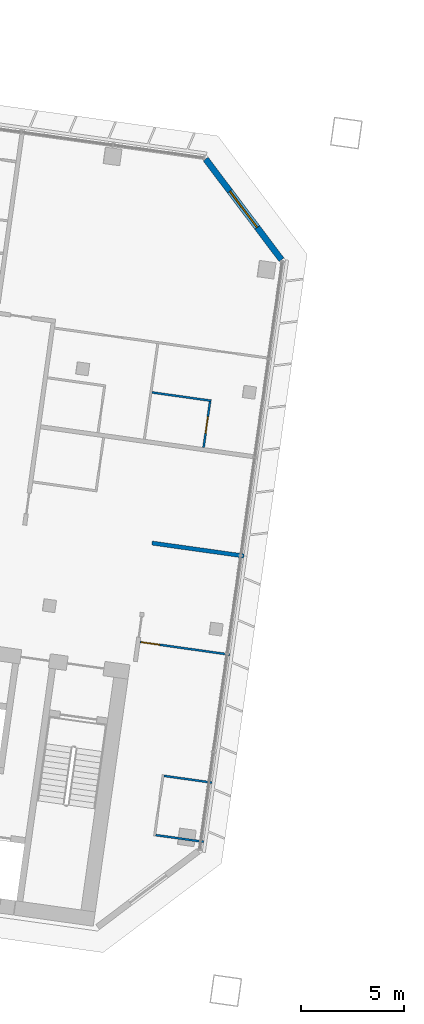
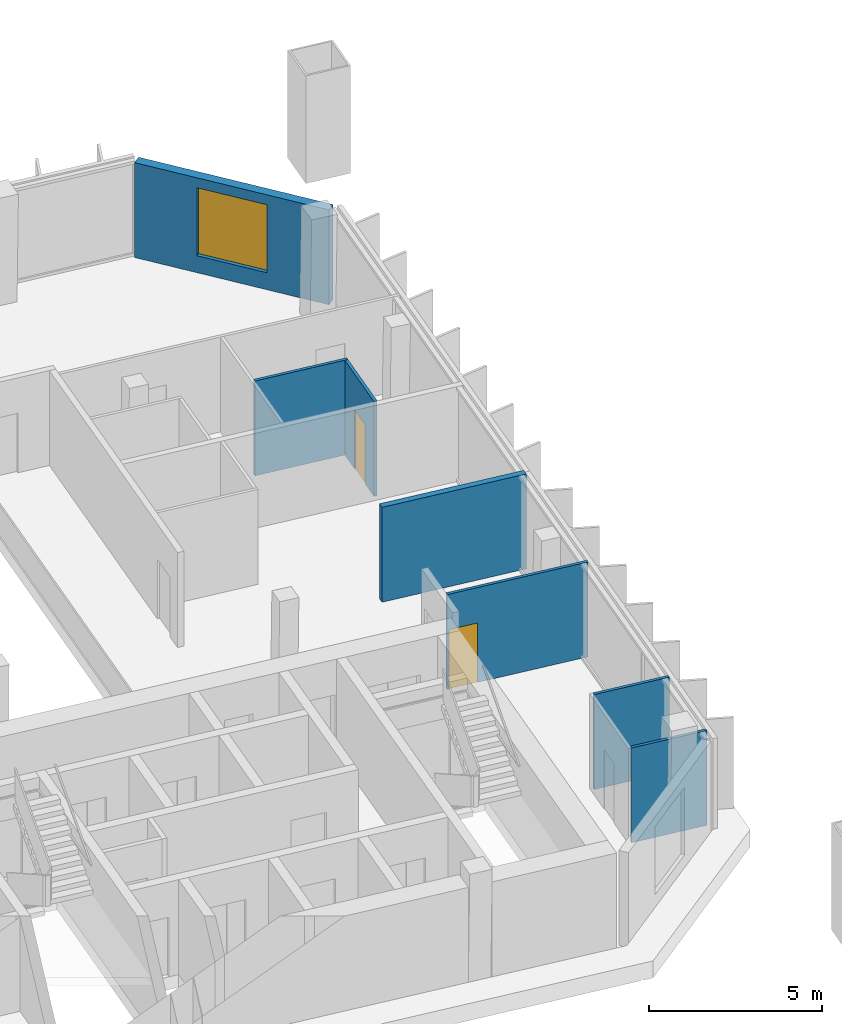
# One storey, part 20 of 31: 7 walls, 2 doors, 1 window, 3 openings.
"""IFC4 building model written with IfcOpenShell, lengths in metres."""

from ifc_helpers import new_model, si_unit, direction, frame, frame_2d, origin, place, context, subcontext, project, spatial, rectangle, extrude, material, layer, layer_set, type_object, element, fill, save


model = new_model("IFC4")

# Units and contexts
model_context = context("Model", 3, precision=1e-05, world=origin(), true_north=direction((0.0, 1.0)))
body_context = subcontext(model_context, "Body", "Model", "MODEL_VIEW")
ifc_project = project(units=[si_unit("LENGTHUNIT", "METRE"), si_unit("AREAUNIT", "SQUARE_METRE"), si_unit("VOLUMEUNIT", "CUBIC_METRE"), si_unit("PLANEANGLEUNIT", "RADIAN"), si_unit("MASSUNIT", "GRAM", prefix="KILO")], contexts=[model_context])

# Site, building, storey
site_placement = place(None, origin())
site = spatial("IfcSite", under=ifc_project, at=site_placement, CompositionType="ELEMENT")
building_placement = place(site_placement, origin())
building = spatial("IfcBuilding", under=site, at=building_placement, Name="Mirante Cascada Hotel Towers", CompositionType="ELEMENT")
storey_placement = place(building_placement, frame((0.0, 0.0, 157.4)))
storey = spatial("IfcBuildingStorey", under=building, at=storey_placement, Name="L36", CompositionType="ELEMENT", Elevation=157.4)

# Walls
ifc_material_1 = material(Name="Fire-rated plasterboard on metal studs")
ifc_layer_1 = layer(ifc_material_1, 0.2)
ifc_layer_set_1 = layer_set([ifc_layer_1], Name="Compartment wall 200 EI 120")
wall_type_1 = type_object("IfcWallType", Name="Compartment wall 200 EI 120", PredefinedType="PARTITIONING", material=ifc_layer_set_1)
wall_1_placement = place(storey_placement, frame((-29.9646, -2.005, 0.0), z_axis=(0.0, 0.0, 1.0), x_axis=(-0.9902678, 0.1391748, 0.0)))
element("IfcWall", 1, at=wall_1_placement, inside=storey, type_object=wall_type_1, Name="Wall 1-L36-07", PredefinedType="PARTITIONING", context=body_context, shape_type="SweptSolid", body=[
    extrude(rectangle(XDim=4.5001, YDim=0.2, at=frame_2d((2.25, 0.0))), origin(), (0.0, 0.0, 1.0), 3.35),
])
ifc_material_2 = material(Name="Plasterboard on metal studs")
ifc_layer_2 = layer(ifc_material_2, 0.1)
ifc_layer_set_2 = layer_set([ifc_layer_2], Name="Partition 100")
wall_type_2 = type_object("IfcWallType", Name="Partition 100", PredefinedType="PARTITIONING", material=ifc_layer_set_2)
for number, where, z_axis, x_axis, name in (
    (2, (-31.9131, -15.8687, 0.0), (0.0, 0.0, 1.0), (-0.9902712, 0.1391512, 0.0), "Wall 1-L36-01"),
    (3, (-31.5095, -12.9969, 0.0), (0.0, 0.0, 1.0), (-0.9902712, 0.1391512, 0.0), "Wall 1-L36-03"),
):
    element("IfcWall", number, at=place(storey_placement, frame(where, z_axis=z_axis, x_axis=x_axis)), inside=storey, type_object=wall_type_2, Name=name, PredefinedType="PARTITIONING", context=body_context, shape_type="SweptSolid", body=[
        extrude(rectangle(XDim=2.35, YDim=0.1, at=frame_2d((1.175, 0.0))), origin(), (0.0, 0.0, 1.0), 3.35),
    ])

# Wall, opening, door
wall_2_placement = place(storey_placement, frame((-30.6373, -6.7912, 0.0), z_axis=(0.0, 0.0, 1.0), x_axis=(-0.9902701, 0.1391587, 0.0)))
wall_2 = element("IfcWall", 4, at=wall_2_placement, inside=storey, type_object=wall_type_2, Name="Wall 1-L36-05", PredefinedType="PARTITIONING", context=body_context, shape_type="SweptSolid", body=[
    extrude(rectangle(XDim=4.4, YDim=0.1, at=frame_2d((2.2, 0.0))), origin(), (0.0, 0.0, 1.0), 3.35),
])
opening_1_placement = place(wall_2_placement, frame((3.45, 0.0, 0.0)))
opening_1 = element("IfcOpeningElement", 5, at=opening_1_placement, cuts=wall_2, Name="Opening D1-L36-01", PredefinedType="OPENING", context=body_context, shape_type="SweptSolid", body=[
    extrude(rectangle(XDim=0.9, YDim=2.1, at=frame_2d((0.45, 1.05))), frame((0.0, 0.05, 0.0), z_axis=(0.0, -1.0, 0.0), x_axis=(1.0, 0.0, 0.0)), (0.0, 0.0, 1.0), 0.1),
])
ifc_material_3 = material(Name="Timber door leaf", Category="wood")
door_type_1 = type_object("IfcDoorType", Name="Room door DG3 900x2100", OperationType="SINGLE_SWING_LEFT", PredefinedType="DOOR", material=ifc_material_3)
door_1_placement = place(opening_1_placement, origin())
door_1 = element("IfcDoor", 6, at=door_1_placement, inside=storey, type_object=door_type_1, Name="Door D1-L36-01", OperationType="SINGLE_SWING_LEFT", OverallHeight=2.1, OverallWidth=0.9, PredefinedType="DOOR", context=body_context, shape_type="SweptSolid", body=[
    extrude(rectangle(XDim=0.9, YDim=2.1, at=frame_2d((0.45, 1.05))), frame((0.0, 0.025, 0.0), z_axis=(0.0, -1.0, 0.0), x_axis=(1.0, 0.0, 0.0)), (0.0, 0.0, 1.0), 0.05),
])
fill(opening_1, door_1)

# Wall
wall_3_placement = place(storey_placement, frame((-34.4221, 5.9259, 0.0), z_axis=(0.0, 0.0, 1.0), x_axis=(0.9902683, -0.1391714, 0.0)))
element("IfcWall", 7, at=wall_3_placement, inside=storey, type_object=wall_type_2, Name="Wall 1-L36-16", PredefinedType="PARTITIONING", context=body_context, shape_type="SweptSolid", body=[
    extrude(rectangle(XDim=2.9, YDim=0.1, at=frame_2d((1.45, 0.0))), origin(), (0.0, 0.0, 1.0), 3.35),
])

# Wall, opening, door
wall_4_placement = place(storey_placement, frame((-31.6068, 5.4797, 0.0), z_axis=(0.0, 0.0, 1.0), x_axis=(-0.1391561, -0.9902705, 0.0)))
wall_4 = element("IfcWall", 8, at=wall_4_placement, inside=storey, type_object=wall_type_2, Name="Wall 1-L36-28", PredefinedType="PARTITIONING", context=body_context, shape_type="SweptSolid", body=[
    extrude(rectangle(XDim=2.25, YDim=0.1, at=frame_2d((1.125, 0.0))), origin(), (0.0, 0.0, 1.0), 3.35),
])
opening_2_placement = place(wall_4_placement, frame((0.75, 0.0, 0.0)))
opening_2 = element("IfcOpeningElement", 9, at=opening_2_placement, cuts=wall_4, Name="Opening D1-L36-19", PredefinedType="OPENING", context=body_context, shape_type="SweptSolid", body=[
    extrude(rectangle(XDim=0.8, YDim=2.1, at=frame_2d((0.4, 1.05))), frame((0.0, 0.05, 0.0), z_axis=(0.0, -1.0, 0.0), x_axis=(1.0, 0.0, 0.0)), (0.0, 0.0, 1.0), 0.1),
])
ifc_material_4 = material(Name="Timber door leaf", Category="wood")
door_type_2 = type_object("IfcDoorType", Name="Bathroom door DG4 800x2100", OperationType="SINGLE_SWING_LEFT", PredefinedType="DOOR", material=ifc_material_4)
door_2_placement = place(opening_2_placement, frame((0.8, 0.0, 0.0), z_axis=(0.0, 0.0, 1.0), x_axis=(-1.0, 0.0, 0.0)))
door_2 = element("IfcDoor", 10, at=door_2_placement, inside=storey, type_object=door_type_2, Name="Door D1-L36-19", OperationType="SINGLE_SWING_RIGHT", OverallHeight=2.1, OverallWidth=0.8, PredefinedType="DOOR", context=body_context, shape_type="SweptSolid", body=[
    extrude(rectangle(XDim=0.8, YDim=2.1, at=frame_2d((0.4, 1.05))), frame((0.0, 0.025, 0.0), z_axis=(0.0, -1.0, 0.0), x_axis=(1.0, 0.0, 0.0)), (0.0, 0.0, 1.0), 0.05),
])
fill(opening_2, door_2)

# Wall, opening, window
ifc_material_5 = material(Name="Precast concrete C40/50", Category="concrete")
ifc_layer_3 = layer(ifc_material_5, 0.3)
ifc_layer_set_3 = layer_set([ifc_layer_3], Name="Precast concrete C40/50 cladding wall 300")
wall_type_3 = type_object("IfcWallType", Name="Precast concrete C40/50 cladding wall 300", PredefinedType="STANDARD", material=ifc_layer_set_3)
wall_5_placement = place(storey_placement, frame((-31.8216, 17.247, 0.0), z_axis=(0.0, 0.0, 1.0), x_axis=(0.6018141, -0.7986362, 0.0)))
wall_5 = element("IfcWall", 11, at=wall_5_placement, inside=storey, type_object=wall_type_3, Name="Corner cladding wall T1 L36 front inner", PredefinedType="STANDARD", context=body_context, shape_type="SweptSolid", body=[
    extrude(rectangle(XDim=6.1157, YDim=0.3, at=frame_2d((3.0578, 0.0))), origin(), (0.0, 0.0, 1.0), 3.35),
])
opening_3_placement = place(wall_5_placement, frame((1.9578, 0.0, 0.6)))
opening_3 = element("IfcOpeningElement", 12, at=opening_3_placement, cuts=wall_5, Name="Opening W1-36-03", PredefinedType="OPENING", context=body_context, shape_type="SweptSolid", body=[
    extrude(rectangle(XDim=2.2, YDim=2.4, at=frame_2d((1.1, 1.2))), frame((0.0, 0.15, 0.0), z_axis=(0.0, -1.0, 0.0), x_axis=(1.0, 0.0, 0.0)), (0.0, 0.0, 1.0), 0.3),
])
ifc_material_6 = material(Name="Aluminium frame with clear double glazing", Category="aluminium")
window_type = type_object("IfcWindowType", Name="Corner suite window 2200x2400", PartitioningType="DOUBLE_PANEL_VERTICAL", PredefinedType="WINDOW", material=ifc_material_6)
window_placement = place(opening_3_placement, origin())
window = element("IfcWindow", 13, at=window_placement, inside=storey, type_object=window_type, Name="Window W1-36-03", OverallHeight=2.4, OverallWidth=2.2, PartitioningType="SINGLE_PANEL", PredefinedType="WINDOW", context=body_context, shape_type="SweptSolid", body=[
    extrude(rectangle(XDim=2.2, YDim=2.4, at=frame_2d((1.1, 1.2))), frame((0.0, 0.03, 0.0), z_axis=(0.0, -1.0, 0.0), x_axis=(1.0, 0.0, 0.0)), (0.0, 0.0, 1.0), 0.06),
])
fill(opening_3, window)

save(model, "model.ifc")
